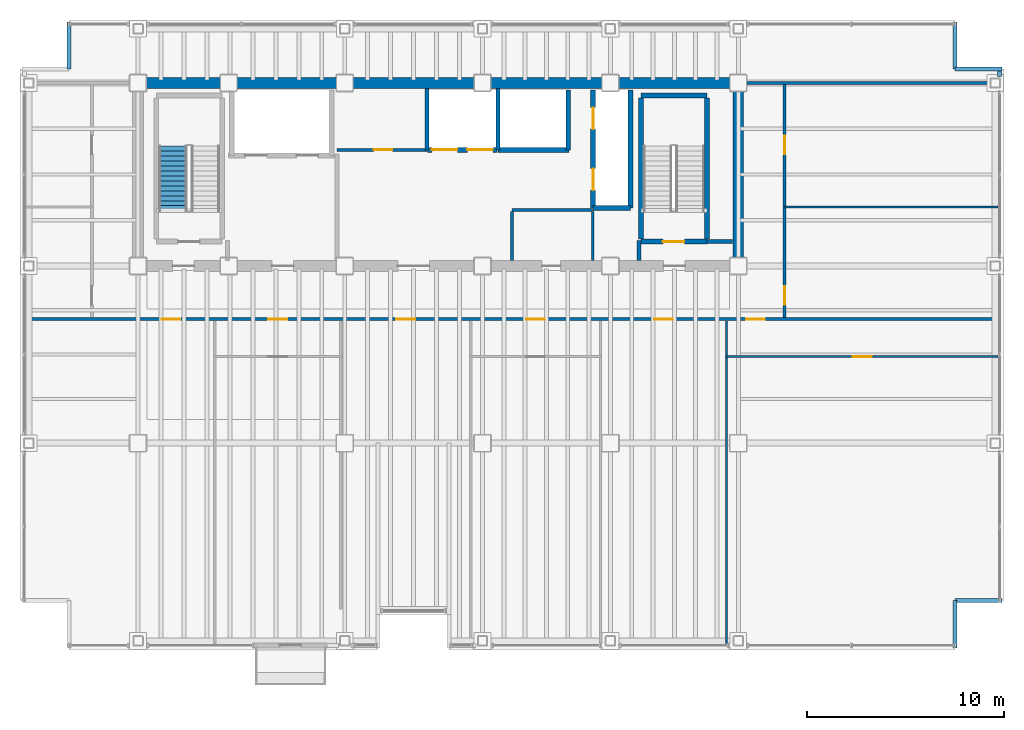
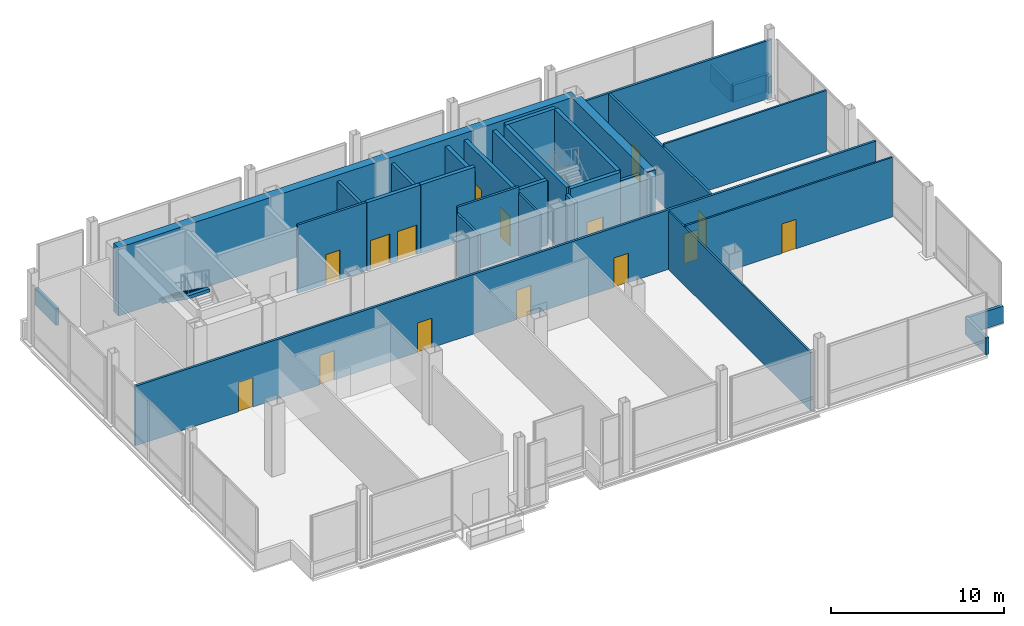
# One storey, part 19 of 22: 32 walls, 15 doors, 1 stair flight, 15 openings, 1 element without a shape of its own.
"""IFC4 building model written with IfcOpenShell, lengths in metres."""

from ifc_helpers import new_model, si_unit, direction, frame, frame_2d, origin, place, context, subcontext, project, spatial, polyline, rectangle, outline, extrude, material, layer, layer_set, type_object, element, fill, aggregate, save


model = new_model("IFC4")

# Units and contexts
model_context = context("Model", 3, precision=1e-05, world=origin(), true_north=direction((0.0, 1.0)))
body_context = subcontext(model_context, "Body", "Model", "MODEL_VIEW")
ifc_project = project(units=[si_unit("LENGTHUNIT", "METRE"), si_unit("AREAUNIT", "SQUARE_METRE"), si_unit("VOLUMEUNIT", "CUBIC_METRE"), si_unit("PLANEANGLEUNIT", "RADIAN"), si_unit("MASSUNIT", "GRAM", prefix="KILO")], contexts=[model_context])

# Site, building, storey
site_placement = place(None, origin())
site = spatial("IfcSite", under=ifc_project, at=site_placement, CompositionType="ELEMENT")
building_placement = place(site_placement, origin())
building = spatial("IfcBuilding", under=site, at=building_placement, Name="Noeulbin Bourse Tower", CompositionType="ELEMENT")
storey_placement = place(building_placement, frame((0.0, 0.0, 106.0)))
storey = spatial("IfcBuildingStorey", under=building, at=storey_placement, Name="L26", CompositionType="ELEMENT", Elevation=106.0)

# Walls
ifc_material_1 = material(Name="Concrete C60/75", Category="concrete")
ifc_layer_1 = layer(ifc_material_1, 0.550048828125)
ifc_layer_set_1 = layer_set([ifc_layer_1], Name="Concrete C60/75")
wall_type_1 = type_object("IfcWallType", Name="WAL-CORE-550", PredefinedType="SHEAR", material=ifc_layer_set_1)
wall_1_placement = place(storey_placement, frame((13.5, 38.300048828125, 0.0), z_axis=(0.0, 0.0, 1.0), x_axis=(1.0, 0.0, 0.0)))
element("IfcWall", 1, at=wall_1_placement, inside=storey, type_object=wall_type_1, Name="Rear Core North Shear Wall L26", PredefinedType="SHEAR", context=body_context, shape_type="SweptSolid", body=[
    extrude(rectangle(XDim=30.5, YDim=0.550048828125, at=frame_2d((15.25, 0.0))), origin(), (0.0, 0.0, 1.0), 4.820068359375),
])
wall_2_placement = place(storey_placement, frame((44.0, 29.35009765625, 0.0), z_axis=(0.0, 0.0, 1.0), x_axis=(0.0, 1.0, 0.0)))
element("IfcWall", 2, at=wall_2_placement, inside=storey, type_object=wall_type_1, Name="Rear Core East Shear Wall L26", PredefinedType="SHEAR", context=body_context, shape_type="SweptSolid", body=[
    extrude(rectangle(XDim=8.599853515625, YDim=0.550048828125, at=frame_2d((4.2998046875, 0.0))), origin(), (0.0, 0.0, 1.0), 4.820068359375),
])
ifc_material_2 = material(Name="Concrete C40/50", Category="concrete")
ifc_layer_2 = layer(ifc_material_2, 0.199951171875)
ifc_layer_set_2 = layer_set([ifc_layer_2], Name="Concrete C40/50")
wall_type_2 = type_object("IfcWallType", Name="WAL-FIRE-200", PredefinedType="STANDARD", material=ifc_layer_set_2)
wall_3_placement = place(storey_placement, frame((42.39990234375, 30.239990234375, 0.0), z_axis=(0.0, 0.0, 1.0), x_axis=(1.0, 0.0, 0.0)))
element("IfcWall", 3, at=wall_3_placement, inside=storey, type_object=wall_type_2, Name="Interior Partition Wall L26-01", PredefinedType="STANDARD", context=body_context, shape_type="SweptSolid", body=[
    extrude(rectangle(XDim=1.315185546875, YDim=0.199951171875, at=frame_2d((0.65771484375, 0.0))), origin(), (0.0, 0.0, 1.0), 4.199951171875),
])
wall_4_placement = place(storey_placement, frame((38.949951171875, 29.284912109375, 0.0), z_axis=(0.0, 0.0, 1.0), x_axis=(0.0, 1.0, 0.0)))
element("IfcWall", 4, at=wall_4_placement, inside=storey, type_object=wall_type_2, Name="Interior Partition Wall L26-13", PredefinedType="STANDARD", context=body_context, shape_type="SweptSolid", body=[
    extrude(rectangle(XDim=1.01513671875, YDim=0.199951171875, at=frame_2d((0.507568359375, 0.0))), origin(), (0.0, 0.0, 1.0), 4.39990234375),
])
ifc_layer_3 = layer(ifc_material_2, 0.199951171875)
ifc_layer_set_3 = layer_set([ifc_layer_3], Name="Concrete C40/50")
wall_type_3 = type_object("IfcWallType", Name="WAL-PAR-200", PredefinedType="PARAPET", material=ifc_layer_set_3)
wall_5_placement = place(storey_placement, frame((57.280029296875, 38.6201171875, 0.0), z_axis=(0.0, 0.0, 1.0), x_axis=(0.0, 1.0, 0.0)))
element("IfcWall", 5, at=wall_5_placement, inside=storey, type_object=wall_type_3, Name="Perimeter Pier Spandrel Parapet L26-E2", PredefinedType="PARAPET", context=body_context, shape_type="SweptSolid", body=[
    extrude(rectangle(XDim=0.27978515625, YDim=0.199951171875, at=frame_2d((0.139892578125, 0.0))), origin(), (0.0, 0.0, 1.0), 1.199951171875),
])
for number, where, z_axis, x_axis, name in (
    (6, (55.0, 9.60009765625, 0.0), (0.0, 0.0, 1.0), (0.0, 1.0, 0.0), "Corner Notch Parapet L26-SE1"),
    (7, (55.0, 12.0, 0.0), (0.0, 0.0, 1.0), (1.0, 0.0, 0.0), "Corner Notch Parapet L26-SE2"),
    (8, (10.0, 39.0, 0.0), (0.0, 0.0, 1.0), (0.0, 1.0, 0.0), "Corner Notch Parapet L26-NW2"),
    (9, (55.0, 41.39990234375, 0.0), (0.0, 0.0, 1.0), (0.0, -1.0, 0.0), "Corner Notch Parapet L26-NE1"),
    (10, (55.0, 39.0, 0.0), (0.0, 0.0, 1.0), (1.0, 0.0, 0.0), "Corner Notch Parapet L26-NE2"),
):
    element("IfcWall", number, at=place(storey_placement, frame(where, z_axis=z_axis, x_axis=x_axis)), inside=storey, type_object=wall_type_3, Name=name, PredefinedType="PARAPET", context=body_context, shape_type="SweptSolid", body=[
        extrude(rectangle(XDim=2.39990234375, YDim=0.199951171875, at=frame_2d((1.199951171875, 0.0))), origin(), (0.0, 0.0, 1.0), 1.199951171875),
    ])

# Wall, opening, door
ifc_material_3 = material(Name="Steel Stud Gypsum Partition", Category="steel")
ifc_layer_4 = layer(ifc_material_3, 0.1201171875)
ifc_layer_set_4 = layer_set([ifc_layer_4], Name="Steel Stud Gypsum Partition")
wall_type_4 = type_object("IfcWallType", Name="WAL-PRT-120", PredefinedType="PARTITIONING", material=ifc_layer_set_4)
wall_6_placement = place(storey_placement, frame((43.39990234375, 24.39990234375, 0.0), z_axis=(0.0, 0.0, 1.0), x_axis=(1.0, 0.0, 0.0)))
wall_6 = element("IfcWall", 11, at=wall_6_placement, inside=storey, type_object=wall_type_4, Name="Interior Partition Wall L26-09", PredefinedType="PARTITIONING", context=body_context, shape_type="SweptSolid", body=[
    extrude(rectangle(XDim=13.7900390625, YDim=0.1201171875, at=frame_2d((6.89501953125, 0.0))), origin(), (0.0, 0.0, 1.0), 4.199951171875),
])
opening_1_placement = place(wall_6_placement, frame((6.419921875, 0.0, 0.0)))
opening_1 = element("IfcOpeningElement", 12, at=opening_1_placement, cuts=wall_6, Name="Opening ID-09", PredefinedType="OPENING", context=body_context, shape_type="SweptSolid", body=[
    extrude(rectangle(XDim=0.949951171875, YDim=2.080078125, at=frame_2d((0.47509765625, 1.0400390625))), frame((0.0, 0.070068359375, 0.0), z_axis=(0.0, -1.0, 0.0), x_axis=(1.0, 0.0, 0.0)), (0.0, 0.0, 1.0), 0.14013671875),
])
ifc_material_4 = material(Name="Acoustic Solid-Core Timber", Category="wood")
door_type_1 = type_object("IfcDoorType", Name="DR-SINGLE-950", OperationType="SINGLE_SWING_LEFT", PredefinedType="DOOR", material=ifc_material_4)
door_1_placement = place(opening_1_placement, origin())
door_1 = element("IfcDoor", 13, at=door_1_placement, inside=storey, type_object=door_type_1, Name="Interior Door L26-14", OperationType="SINGLE_SWING_LEFT", OverallHeight=2.080078125, OverallWidth=0.949951171875, PredefinedType="DOOR", context=body_context, shape_type="SweptSolid", body=[
    extrude(rectangle(XDim=0.949951171875, YDim=2.080078125, at=frame_2d((0.47509765625, 1.0400390625))), frame((0.0, 0.02490234375, 0.0), z_axis=(0.0, -1.0, 0.0), x_axis=(1.0, 0.0, 0.0)), (0.0, 0.0, 1.0), 0.050048828125),
])
fill(opening_1, door_1)

# Walls
wall_7_placement = place(storey_placement, frame((46.35009765625, 32.0, 0.0), z_axis=(0.0, 0.0, 1.0), x_axis=(1.0, 0.0, 0.0)))
element("IfcWall", 14, at=wall_7_placement, inside=storey, type_object=wall_type_4, Name="Interior Partition Wall L26-11", PredefinedType="PARTITIONING", context=body_context, shape_type="SweptSolid", body=[
    extrude(rectangle(XDim=10.83984375, YDim=0.1201171875, at=frame_2d((5.419921875, 0.0))), origin(), (0.0, 0.0, 1.0), 4.31201171875),
])
wall_8_placement = place(storey_placement, frame((36.60009765625, 29.284912109375, 0.0), z_axis=(0.0, 0.0, 1.0), x_axis=(0.0, 1.0, 0.0)))
element("IfcWall", 15, at=wall_8_placement, inside=storey, type_object=wall_type_4, Name="Interior Partition Wall L26-16", PredefinedType="PARTITIONING", context=body_context, shape_type="SweptSolid", body=[
    extrude(rectangle(XDim=2.47998046875, YDim=0.1201171875, at=frame_2d((1.239990234375, 0.0))), origin(), (0.0, 0.0, 1.0), 4.39990234375),
])
wall_9_placement = place(storey_placement, frame((43.39990234375, 9.81005859375, 0.0), z_axis=(0.0, 0.0, 1.0), x_axis=(0.0, 1.0, 0.0)))
element("IfcWall", 16, at=wall_9_placement, inside=storey, type_object=wall_type_4, Name="Interior Partition Wall L26-23", PredefinedType="PARTITIONING", context=body_context, shape_type="SweptSolid", body=[
    extrude(rectangle(XDim=16.405029296875, YDim=0.1201171875, at=frame_2d((8.20263671875, 0.0))), origin(), (0.0, 0.0, 1.0), 4.10009765625),
])

# Wall, opening, door
ifc_material_5 = material(Name="Steel Stud Acoustic Gypsum Board", Category="steel")
ifc_layer_5 = layer(ifc_material_5, 0.14990234375)
ifc_layer_set_5 = layer_set([ifc_layer_5], Name="Steel Stud Acoustic Gypsum Board")
wall_type_5 = type_object("IfcWallType", Name="WAL-PRT-150", PredefinedType="PARTITIONING", material=ifc_layer_set_5)
wall_10_placement = place(storey_placement, frame((23.60009765625, 34.89990234375, 0.0), z_axis=(0.0, 0.0, 1.0), x_axis=(1.0, 0.0, 0.0)))
wall_10 = element("IfcWall", 17, at=wall_10_placement, inside=storey, type_object=wall_type_5, Name="Interior Partition Wall L26-02", PredefinedType="PARTITIONING", context=body_context, shape_type="SweptSolid", body=[
    extrude(rectangle(XDim=4.579833984375, YDim=0.14990234375, at=frame_2d((2.2900390625, 0.0))), origin(), (0.0, 0.0, 1.0), 4.820068359375),
])
opening_2_placement = place(wall_10_placement, frame((1.875, 0.0, 0.0)))
opening_2 = element("IfcOpeningElement", 18, at=opening_2_placement, cuts=wall_10, Name="Opening ID-09", PredefinedType="OPENING", context=body_context, shape_type="SweptSolid", body=[
    extrude(rectangle(XDim=0.949951171875, YDim=2.080078125, at=frame_2d((0.47509765625, 1.0400390625))), frame((0.0, 0.0849609375, 0.0), z_axis=(0.0, -1.0, 0.0), x_axis=(1.0, 0.0, 0.0)), (0.0, 0.0, 1.0), 0.169921875),
])
door_2_placement = place(opening_2_placement, origin())
door_2 = element("IfcDoor", 19, at=door_2_placement, inside=storey, type_object=door_type_1, Name="Archive Room Door L26", OperationType="SINGLE_SWING_RIGHT", OverallHeight=2.080078125, OverallWidth=0.949951171875, PredefinedType="DOOR", context=body_context, shape_type="SweptSolid", body=[
    extrude(rectangle(XDim=0.949951171875, YDim=2.080078125, at=frame_2d((0.47509765625, 1.0400390625))), frame((0.0, 0.02490234375, 0.0), z_axis=(0.0, -1.0, 0.0), x_axis=(1.0, 0.0, 0.0)), (0.0, 0.0, 1.0), 0.050048828125),
])
fill(opening_2, door_2)

# Wall
wall_11_placement = place(storey_placement, frame((32.5, 31.85009765625, 0.0), z_axis=(0.0, 0.0, 1.0), x_axis=(1.0, 0.0, 0.0)))
element("IfcWall", 20, at=wall_11_placement, inside=storey, type_object=wall_type_5, Name="Interior Partition Wall L26-03", PredefinedType="PARTITIONING", context=body_context, shape_type="SweptSolid", body=[
    extrude(rectangle(XDim=4.10009765625, YDim=0.14990234375, at=frame_2d((2.050048828125, 0.0))), origin(), (0.0, 0.0, 1.0), 4.820068359375),
])

# Wall, openings, doors
wall_12_placement = place(storey_placement, frame((7.81005859375, 26.300048828125, 0.0), z_axis=(0.0, 0.0, 1.0), x_axis=(1.0, 0.0, 0.0)))
wall_12 = element("IfcWall", 21, at=wall_12_placement, inside=storey, type_object=wall_type_5, Name="Interior Partition Wall L26-04", PredefinedType="PARTITIONING", context=body_context, shape_type="SweptSolid", body=[
    extrude(rectangle(XDim=49.3798828125, YDim=0.14990234375, at=frame_2d((24.68994140625, 0.0))), origin(), (0.0, 0.0, 1.0), 4.199951171875),
])
opening_3_placement = place(wall_12_placement, frame((6.889892578125, 0.0, 0.0)))
opening_3 = element("IfcOpeningElement", 22, at=opening_3_placement, cuts=wall_12, Name="Opening ID-09", PredefinedType="OPENING", context=body_context, shape_type="SweptSolid", body=[
    extrude(rectangle(XDim=0.949951171875, YDim=2.080078125, at=frame_2d((0.47509765625, 1.0400390625))), frame((0.0, 0.0849609375, 0.0), z_axis=(0.0, -1.0, 0.0), x_axis=(1.0, 0.0, 0.0)), (0.0, 0.0, 1.0), 0.169921875),
])
opening_4_placement = place(wall_12_placement, frame((12.31494140625, 0.0, 0.0)))
opening_4 = element("IfcOpeningElement", 23, at=opening_4_placement, cuts=wall_12, Name="Opening ID-09", PredefinedType="OPENING", context=body_context, shape_type="SweptSolid", body=[
    extrude(rectangle(XDim=0.949951171875, YDim=2.080078125, at=frame_2d((0.47509765625, 1.0400390625))), frame((0.0, 0.0849609375, 0.0), z_axis=(0.0, -1.0, 0.0), x_axis=(1.0, 0.0, 0.0)), (0.0, 0.0, 1.0), 0.169921875),
])
opening_5_placement = place(wall_12_placement, frame((18.81494140625, 0.0, 0.0)))
opening_5 = element("IfcOpeningElement", 24, at=opening_5_placement, cuts=wall_12, Name="Opening ID-09", PredefinedType="OPENING", context=body_context, shape_type="SweptSolid", body=[
    extrude(rectangle(XDim=0.949951171875, YDim=2.080078125, at=frame_2d((0.47509765625, 1.0400390625))), frame((0.0, 0.0849609375, 0.0), z_axis=(0.0, -1.0, 0.0), x_axis=(1.0, 0.0, 0.0)), (0.0, 0.0, 1.0), 0.169921875),
])
opening_6_placement = place(wall_12_placement, frame((25.4150390625, 0.0, 0.0)))
opening_6 = element("IfcOpeningElement", 25, at=opening_6_placement, cuts=wall_12, Name="Opening ID-09", PredefinedType="OPENING", context=body_context, shape_type="SweptSolid", body=[
    extrude(rectangle(XDim=0.949951171875, YDim=2.080078125, at=frame_2d((0.47509765625, 1.0400390625))), frame((0.0, 0.0849609375, 0.0), z_axis=(0.0, -1.0, 0.0), x_axis=(1.0, 0.0, 0.0)), (0.0, 0.0, 1.0), 0.169921875),
])
opening_7_placement = place(wall_12_placement, frame((31.9150390625, 0.0, 0.0)))
opening_7 = element("IfcOpeningElement", 26, at=opening_7_placement, cuts=wall_12, Name="Opening ID-09", PredefinedType="OPENING", context=body_context, shape_type="SweptSolid", body=[
    extrude(rectangle(XDim=0.949951171875, YDim=2.080078125, at=frame_2d((0.47509765625, 1.0400390625))), frame((0.0, 0.0849609375, 0.0), z_axis=(0.0, -1.0, 0.0), x_axis=(1.0, 0.0, 0.0)), (0.0, 0.0, 1.0), 0.169921875),
])
opening_8_placement = place(wall_12_placement, frame((36.590087890625, 0.0, 0.0)))
opening_8 = element("IfcOpeningElement", 27, at=opening_8_placement, cuts=wall_12, Name="Opening ID-09", PredefinedType="OPENING", context=body_context, shape_type="SweptSolid", body=[
    extrude(rectangle(XDim=0.949951171875, YDim=2.080078125, at=frame_2d((0.47509765625, 1.0400390625))), frame((0.0, 0.0849609375, 0.0), z_axis=(0.0, -1.0, 0.0), x_axis=(1.0, 0.0, 0.0)), (0.0, 0.0, 1.0), 0.169921875),
])
door_3_placement = place(opening_3_placement, origin())
door_3 = element("IfcDoor", 28, at=door_3_placement, inside=storey, type_object=door_type_1, Name="Interior Door L26-07", OperationType="SINGLE_SWING_RIGHT", OverallHeight=2.080078125, OverallWidth=0.949951171875, PredefinedType="DOOR", context=body_context, shape_type="SweptSolid", body=[
    extrude(rectangle(XDim=0.949951171875, YDim=2.080078125, at=frame_2d((0.47509765625, 1.0400390625))), frame((0.0, 0.02490234375, 0.0), z_axis=(0.0, -1.0, 0.0), x_axis=(1.0, 0.0, 0.0)), (0.0, 0.0, 1.0), 0.050048828125),
])
fill(opening_3, door_3)
door_4_placement = place(opening_4_placement, origin())
door_4 = element("IfcDoor", 29, at=door_4_placement, inside=storey, type_object=door_type_1, Name="Interior Door L26-09", OperationType="SINGLE_SWING_RIGHT", OverallHeight=2.080078125, OverallWidth=0.949951171875, PredefinedType="DOOR", context=body_context, shape_type="SweptSolid", body=[
    extrude(rectangle(XDim=0.949951171875, YDim=2.080078125, at=frame_2d((0.47509765625, 1.0400390625))), frame((0.0, 0.02490234375, 0.0), z_axis=(0.0, -1.0, 0.0), x_axis=(1.0, 0.0, 0.0)), (0.0, 0.0, 1.0), 0.050048828125),
])
fill(opening_4, door_4)
door_5_placement = place(opening_5_placement, origin())
door_5 = element("IfcDoor", 30, at=door_5_placement, inside=storey, type_object=door_type_1, Name="Interior Door L26-10", OperationType="SINGLE_SWING_LEFT", OverallHeight=2.080078125, OverallWidth=0.949951171875, PredefinedType="DOOR", context=body_context, shape_type="SweptSolid", body=[
    extrude(rectangle(XDim=0.949951171875, YDim=2.080078125, at=frame_2d((0.47509765625, 1.0400390625))), frame((0.0, 0.02490234375, 0.0), z_axis=(0.0, -1.0, 0.0), x_axis=(1.0, 0.0, 0.0)), (0.0, 0.0, 1.0), 0.050048828125),
])
fill(opening_5, door_5)
door_6_placement = place(opening_6_placement, origin())
door_6 = element("IfcDoor", 31, at=door_6_placement, inside=storey, type_object=door_type_1, Name="Interior Door L26-12", OperationType="SINGLE_SWING_LEFT", OverallHeight=2.080078125, OverallWidth=0.949951171875, PredefinedType="DOOR", context=body_context, shape_type="SweptSolid", body=[
    extrude(rectangle(XDim=0.949951171875, YDim=2.080078125, at=frame_2d((0.47509765625, 1.0400390625))), frame((0.0, 0.02490234375, 0.0), z_axis=(0.0, -1.0, 0.0), x_axis=(1.0, 0.0, 0.0)), (0.0, 0.0, 1.0), 0.050048828125),
])
fill(opening_6, door_6)
door_7_placement = place(opening_7_placement, origin())
door_7 = element("IfcDoor", 32, at=door_7_placement, inside=storey, type_object=door_type_1, Name="Interior Door L26-13", OperationType="SINGLE_SWING_RIGHT", OverallHeight=2.080078125, OverallWidth=0.949951171875, PredefinedType="DOOR", context=body_context, shape_type="SweptSolid", body=[
    extrude(rectangle(XDim=0.949951171875, YDim=2.080078125, at=frame_2d((0.47509765625, 1.0400390625))), frame((0.0, 0.02490234375, 0.0), z_axis=(0.0, -1.0, 0.0), x_axis=(1.0, 0.0, 0.0)), (0.0, 0.0, 1.0), 0.050048828125),
])
fill(opening_7, door_7)
door_8_placement = place(opening_8_placement, origin())
door_8 = element("IfcDoor", 33, at=door_8_placement, inside=storey, type_object=door_type_1, Name="Interior Door L26-15", OperationType="SINGLE_SWING_RIGHT", OverallHeight=2.080078125, OverallWidth=0.949951171875, PredefinedType="DOOR", context=body_context, shape_type="SweptSolid", body=[
    extrude(rectangle(XDim=0.949951171875, YDim=2.080078125, at=frame_2d((0.47509765625, 1.0400390625))), frame((0.0, 0.02490234375, 0.0), z_axis=(0.0, -1.0, 0.0), x_axis=(1.0, 0.0, 0.0)), (0.0, 0.0, 1.0), 0.050048828125),
])
fill(opening_8, door_8)

# Walls
wall_13_placement = place(storey_placement, frame((44.0, 38.300048828125, 0.0), z_axis=(0.0, 0.0, 1.0), x_axis=(1.0, 0.0, 0.0)))
element("IfcWall", 34, at=wall_13_placement, inside=storey, type_object=wall_type_5, Name="Interior Partition Wall L26-06", PredefinedType="PARTITIONING", context=body_context, shape_type="SweptSolid", body=[
    extrude(rectangle(XDim=13.18994140625, YDim=0.14990234375, at=frame_2d((6.594970703125, 0.0))), origin(), (0.0, 0.0, 1.0), 4.10009765625),
])
wall_14_placement = place(storey_placement, frame((32.5, 29.284912109375, 0.0), z_axis=(0.0, 0.0, 1.0), x_axis=(0.0, 1.0, 0.0)))
element("IfcWall", 35, at=wall_14_placement, inside=storey, type_object=wall_type_5, Name="Interior Partition Wall L26-15", PredefinedType="PARTITIONING", context=body_context, shape_type="SweptSolid", body=[
    extrude(rectangle(XDim=2.47998046875, YDim=0.14990234375, at=frame_2d((1.239990234375, 0.0))), origin(), (0.0, 0.0, 1.0), 4.39990234375),
])

# Wall, openings, doors
wall_15_placement = place(storey_placement, frame((46.35009765625, 26.385009765625, 0.0), z_axis=(0.0, 0.0, 1.0), x_axis=(0.0, 1.0, 0.0)))
wall_15 = element("IfcWall", 36, at=wall_15_placement, inside=storey, type_object=wall_type_5, Name="Interior Partition Wall L26-18", PredefinedType="PARTITIONING", context=body_context, shape_type="SweptSolid", body=[
    extrude(rectangle(XDim=11.830078125, YDim=0.14990234375, at=frame_2d((5.9150390625, 0.0))), origin(), (0.0, 0.0, 1.0), 4.10009765625),
])
opening_9_placement = place(wall_15_placement, frame((0.639892578125, 0.0, 0.0)))
opening_9 = element("IfcOpeningElement", 37, at=opening_9_placement, cuts=wall_15, Name="Opening ID-09", PredefinedType="OPENING", context=body_context, shape_type="SweptSolid", body=[
    extrude(rectangle(XDim=0.949951171875, YDim=2.080078125, at=frame_2d((0.47509765625, 1.0400390625))), frame((0.0, 0.0849609375, 0.0), z_axis=(0.0, -1.0, 0.0), x_axis=(1.0, 0.0, 0.0)), (0.0, 0.0, 1.0), 0.169921875),
])
opening_10_placement = place(wall_15_placement, frame((8.2900390625, 0.0, 0.0)))
opening_10 = element("IfcOpeningElement", 38, at=opening_10_placement, cuts=wall_15, Name="Opening ID-09", PredefinedType="OPENING", context=body_context, shape_type="SweptSolid", body=[
    extrude(rectangle(XDim=0.949951171875, YDim=2.080078125, at=frame_2d((0.47509765625, 1.0400390625))), frame((0.0, 0.0849609375, 0.0), z_axis=(0.0, -1.0, 0.0), x_axis=(1.0, 0.0, 0.0)), (0.0, 0.0, 1.0), 0.169921875),
])
door_9_placement = place(opening_9_placement, origin())
door_9 = element("IfcDoor", 39, at=door_9_placement, inside=storey, type_object=door_type_1, Name="Interior Door L26-18", OperationType="SINGLE_SWING_LEFT", OverallHeight=2.080078125, OverallWidth=0.949951171875, PredefinedType="DOOR", context=body_context, shape_type="SweptSolid", body=[
    extrude(rectangle(XDim=0.949951171875, YDim=2.080078125, at=frame_2d((0.47509765625, 1.0400390625))), frame((0.0, 0.02490234375, 0.0), z_axis=(0.0, -1.0, 0.0), x_axis=(1.0, 0.0, 0.0)), (0.0, 0.0, 1.0), 0.050048828125),
])
fill(opening_9, door_9)
door_10_placement = place(opening_10_placement, origin())
door_10 = element("IfcDoor", 40, at=door_10_placement, inside=storey, type_object=door_type_1, Name="Interior Door L26-19", OperationType="SINGLE_SWING_RIGHT", OverallHeight=2.080078125, OverallWidth=0.949951171875, PredefinedType="DOOR", context=body_context, shape_type="SweptSolid", body=[
    extrude(rectangle(XDim=0.949951171875, YDim=2.080078125, at=frame_2d((0.47509765625, 1.0400390625))), frame((0.0, 0.02490234375, 0.0), z_axis=(0.0, -1.0, 0.0), x_axis=(1.0, 0.0, 0.0)), (0.0, 0.0, 1.0), 0.050048828125),
])
fill(opening_10, door_10)

# Wall, opening, door
ifc_layer_6 = layer(ifc_material_2, 0.25)
ifc_layer_set_6 = layer_set([ifc_layer_6], Name="Concrete C40/50")
wall_type_6 = type_object("IfcWallType", Name="WAL-SHFT-250", PredefinedType="STANDARD", material=ifc_layer_set_6)
wall_16_placement = place(storey_placement, frame((39.06005859375, 30.235107421875, 0.0), z_axis=(0.0, 0.0, 1.0), x_axis=(1.0, 0.0, 0.0)))
wall_16 = element("IfcWall", 41, at=wall_16_placement, inside=storey, type_object=wall_type_6, Name="Stair ST-2 South Shaft Wall L26", PredefinedType="STANDARD", context=body_context, shape_type="SweptSolid", body=[
    extrude(rectangle(XDim=3.33984375, YDim=0.25, at=frame_2d((1.669921875, 0.0))), origin(), (0.0, 0.0, 1.0), 4.820068359375),
])
opening_11_placement = place(wall_16_placement, frame((1.10009765625, 0.0, 0.0)))
opening_11 = element("IfcOpeningElement", 42, at=opening_11_placement, cuts=wall_16, Name="Opening FD-11", PredefinedType="OPENING", context=body_context, shape_type="SweptSolid", body=[
    extrude(rectangle(XDim=1.10009765625, YDim=2.080078125, at=frame_2d((0.550048828125, 1.0400390625))), frame((0.0, 0.135009765625, 0.0), z_axis=(0.0, -1.0, 0.0), x_axis=(1.0, 0.0, 0.0)), (0.0, 0.0, 1.0), 0.27001953125),
])
ifc_material_6 = material(Name="Fire-Rated Insulated Steel", Category="steel")
door_type_2 = type_object("IfcDoorType", Name="DR-FD60-1100", OperationType="SINGLE_SWING_LEFT", PredefinedType="DOOR", material=ifc_material_6)
door_11_placement = place(opening_11_placement, origin())
door_11 = element("IfcDoor", 43, at=door_11_placement, inside=storey, type_object=door_type_2, Name="Protected Stair Entry Door ST2-L26", OperationType="SINGLE_SWING_LEFT", OverallHeight=2.080078125, OverallWidth=1.10009765625, PredefinedType="DOOR", context=body_context, shape_type="SweptSolid", body=[
    extrude(rectangle(XDim=1.10009765625, YDim=2.080078125, at=frame_2d((0.550048828125, 1.0400390625))), frame((0.0, 0.02490234375, 0.0), z_axis=(0.0, -1.0, 0.0), x_axis=(1.0, 0.0, 0.0)), (0.0, 0.0, 1.0), 0.050048828125),
])
fill(opening_11, door_11)

# Walls
wall_17_placement = place(storey_placement, frame((39.06005859375, 37.6689453125, 0.0), z_axis=(0.0, 0.0, 1.0), x_axis=(1.0, 0.0, 0.0)))
element("IfcWall", 44, at=wall_17_placement, inside=storey, type_object=wall_type_6, Name="Stair ST-2 North Shaft Wall L26", PredefinedType="STANDARD", context=body_context, shape_type="SweptSolid", body=[
    extrude(rectangle(XDim=3.33984375, YDim=0.25, at=frame_2d((1.669921875, 0.0))), origin(), (0.0, 0.0, 1.0), 4.820068359375),
])
for number, where, z_axis, x_axis, name in (
    (45, (39.054931640625, 30.360107421875, 0.0), (0.0, 0.0, 1.0), (0.0, 1.0, 0.0), "Stair ST-2 West Shaft Wall L26"),
    (46, (42.405029296875, 30.360107421875, 0.0), (0.0, 0.0, 1.0), (0.0, 1.0, 0.0), "Stair ST-2 East Shaft Wall L26"),
):
    element("IfcWall", number, at=place(storey_placement, frame(where, z_axis=z_axis, x_axis=x_axis)), inside=storey, type_object=wall_type_6, Name=name, PredefinedType="STANDARD", context=body_context, shape_type="SweptSolid", body=[
        extrude(rectangle(XDim=7.183837890625, YDim=0.25, at=frame_2d((3.591796875, 0.0))), origin(), (0.0, 0.0, 1.0), 4.820068359375),
    ])

# Wall, openings, doors
wall_18_placement = place(storey_placement, frame((36.6201171875, 31.949951171875, 0.0), z_axis=(0.0, 0.0, 1.0), x_axis=(0.0, 1.0, 0.0)))
wall_18 = element("IfcWall", 47, at=wall_18_placement, inside=storey, type_object=wall_type_6, Name="Service Lift Shaft Wall L26", PredefinedType="STANDARD", context=body_context, shape_type="SweptSolid", body=[
    extrude(rectangle(XDim=6.0, YDim=0.25, at=frame_2d((3.0, 0.0))), origin(), (0.0, 0.0, 1.0), 4.39990234375),
])
opening_12_placement = place(wall_18_placement, frame((0.89990234375, 0.0, 0.0)))
opening_12 = element("IfcOpeningElement", 48, at=opening_12_placement, cuts=wall_18, Name="Opening LD-11", PredefinedType="OPENING", context=body_context, shape_type="SweptSolid", body=[
    extrude(rectangle(XDim=1.10009765625, YDim=2.080078125, at=frame_2d((0.550048828125, 1.0400390625))), frame((0.0, 0.135009765625, 0.0), z_axis=(0.0, -1.0, 0.0), x_axis=(1.0, 0.0, 0.0)), (0.0, 0.0, 1.0), 0.27001953125),
])
opening_13_placement = place(wall_18_placement, frame((4.0, 0.0, 0.0)))
opening_13 = element("IfcOpeningElement", 49, at=opening_13_placement, cuts=wall_18, Name="Opening LD-11", PredefinedType="OPENING", context=body_context, shape_type="SweptSolid", body=[
    extrude(rectangle(XDim=1.10009765625, YDim=2.080078125, at=frame_2d((0.550048828125, 1.0400390625))), frame((0.0, 0.135009765625, 0.0), z_axis=(0.0, -1.0, 0.0), x_axis=(1.0, 0.0, 0.0)), (0.0, 0.0, 1.0), 0.27001953125),
])
ifc_material_7 = material(Name="Brushed Stainless Steel 316", Category="steel")
door_type_3 = type_object("IfcDoorType", Name="DR-LIFT-1100", OperationType="SLIDING_TO_LEFT", PredefinedType="DOOR", material=ifc_material_7)
door_12_placement = place(opening_12_placement, origin())
door_12 = element("IfcDoor", 50, at=door_12_placement, inside=storey, type_object=door_type_3, Name="Lift Landing Door LD-EL-01-L26", OperationType="SLIDING_TO_LEFT", OverallHeight=2.080078125, OverallWidth=1.10009765625, PredefinedType="DOOR", context=body_context, shape_type="SweptSolid", body=[
    extrude(rectangle(XDim=1.10009765625, YDim=2.080078125, at=frame_2d((0.550048828125, 1.0400390625))), frame((0.0, 0.02490234375, 0.0), z_axis=(0.0, -1.0, 0.0), x_axis=(1.0, 0.0, 0.0)), (0.0, 0.0, 1.0), 0.050048828125),
])
fill(opening_12, door_12)
door_13_placement = place(opening_13_placement, origin())
door_13 = element("IfcDoor", 51, at=door_13_placement, inside=storey, type_object=door_type_3, Name="Lift Landing Door LD-SV-01-L26", OperationType="SLIDING_TO_LEFT", OverallHeight=2.080078125, OverallWidth=1.10009765625, PredefinedType="DOOR", context=body_context, shape_type="SweptSolid", body=[
    extrude(rectangle(XDim=1.10009765625, YDim=2.080078125, at=frame_2d((0.550048828125, 1.0400390625))), frame((0.0, 0.02490234375, 0.0), z_axis=(0.0, -1.0, 0.0), x_axis=(1.0, 0.0, 0.0)), (0.0, 0.0, 1.0), 0.050048828125),
])
fill(opening_13, door_13)

# Walls
wall_19_placement = place(storey_placement, frame((38.52001953125, 31.949951171875, 0.0), z_axis=(0.0, 0.0, 1.0), x_axis=(0.0, 1.0, 0.0)))
element("IfcWall", 52, at=wall_19_placement, inside=storey, type_object=wall_type_6, Name="Service Lift East Shaft Wall L26", PredefinedType="STANDARD", context=body_context, shape_type="SweptSolid", body=[
    extrude(rectangle(XDim=6.0, YDim=0.25, at=frame_2d((3.0, 0.0))), origin(), (0.0, 0.0, 1.0), 4.39990234375),
])
wall_20_placement = place(storey_placement, frame((36.6201171875, 31.949951171875, 0.0), z_axis=(0.0, 0.0, 1.0), x_axis=(1.0, 0.0, 0.0)))
element("IfcWall", 53, at=wall_20_placement, inside=storey, type_object=wall_type_6, Name="Service Lift South Shaft Wall L26", PredefinedType="STANDARD", context=body_context, shape_type="SweptSolid", body=[
    extrude(rectangle(XDim=1.89990234375, YDim=0.25, at=frame_2d((0.949951171875, 0.0))), origin(), (0.0, 0.0, 1.0), 4.580078125),
])
wall_21_placement = place(storey_placement, frame((35.360107421875, 34.89990234375, 0.0), z_axis=(0.0, 0.0, 1.0), x_axis=(0.0, 1.0, 0.0)))
element("IfcWall", 54, at=wall_21_placement, inside=storey, type_object=wall_type_6, Name="High-Rise Lift East Shaft Wall L26", PredefinedType="STANDARD", context=body_context, shape_type="SweptSolid", body=[
    extrude(rectangle(XDim=3.050048828125, YDim=0.25, at=frame_2d((1.52490234375, 0.0))), origin(), (0.0, 0.0, 1.0), 4.39990234375),
])

# Wall, openings, doors
wall_22_placement = place(storey_placement, frame((28.199951171875, 34.89990234375, 0.0), z_axis=(0.0, 0.0, 1.0), x_axis=(1.0, 0.0, 0.0)))
wall_22 = element("IfcWall", 55, at=wall_22_placement, inside=storey, type_object=wall_type_6, Name="Mid-Rise Lift Bank Front L26", PredefinedType="STANDARD", context=body_context, shape_type="SweptSolid", body=[
    extrude(rectangle(XDim=3.550048828125, YDim=0.25, at=frame_2d((1.77490234375, 0.0))), origin(), (0.0, 0.0, 1.0), 4.820068359375),
])
opening_14_placement = place(wall_22_placement, frame((0.22998046875, 0.0, 0.0)))
opening_14 = element("IfcOpeningElement", 56, at=opening_14_placement, cuts=wall_22, Name="Opening LD-13", PredefinedType="OPENING", context=body_context, shape_type="SweptSolid", body=[
    extrude(rectangle(XDim=1.300048828125, YDim=2.080078125, at=frame_2d((0.64990234375, 1.0400390625))), frame((0.0, 0.135009765625, 0.0), z_axis=(0.0, -1.0, 0.0), x_axis=(1.0, 0.0, 0.0)), (0.0, 0.0, 1.0), 0.27001953125),
])
opening_15_placement = place(wall_22_placement, frame((2.030029296875, 0.0, 0.0)))
opening_15 = element("IfcOpeningElement", 57, at=opening_15_placement, cuts=wall_22, Name="Opening LD-13", PredefinedType="OPENING", context=body_context, shape_type="SweptSolid", body=[
    extrude(rectangle(XDim=1.300048828125, YDim=2.080078125, at=frame_2d((0.64990234375, 1.0400390625))), frame((0.0, 0.135009765625, 0.0), z_axis=(0.0, -1.0, 0.0), x_axis=(1.0, 0.0, 0.0)), (0.0, 0.0, 1.0), 0.27001953125),
])
door_type_4 = type_object("IfcDoorType", Name="DR-LIFT-1300", OperationType="DOUBLE_DOOR_SLIDING", PredefinedType="DOOR", material=ifc_material_7)
door_14_placement = place(opening_14_placement, origin())
door_14 = element("IfcDoor", 58, at=door_14_placement, inside=storey, type_object=door_type_4, Name="Lift Landing Door LD-PL-M1-L26", OperationType="DOUBLE_DOOR_SLIDING", OverallHeight=2.080078125, OverallWidth=1.300048828125, PredefinedType="DOOR", context=body_context, shape_type="SweptSolid", body=[
    extrude(rectangle(XDim=1.300048828125, YDim=2.080078125, at=frame_2d((0.64990234375, 1.0400390625))), frame((0.0, 0.02490234375, 0.0), z_axis=(0.0, -1.0, 0.0), x_axis=(1.0, 0.0, 0.0)), (0.0, 0.0, 1.0), 0.050048828125),
])
fill(opening_14, door_14)
door_15_placement = place(opening_15_placement, origin())
door_15 = element("IfcDoor", 59, at=door_15_placement, inside=storey, type_object=door_type_4, Name="Lift Landing Door LD-PL-M2-L26", OperationType="DOUBLE_DOOR_SLIDING", OverallHeight=2.080078125, OverallWidth=1.300048828125, PredefinedType="DOOR", context=body_context, shape_type="SweptSolid", body=[
    extrude(rectangle(XDim=1.300048828125, YDim=2.080078125, at=frame_2d((0.64990234375, 1.0400390625))), frame((0.0, 0.02490234375, 0.0), z_axis=(0.0, -1.0, 0.0), x_axis=(1.0, 0.0, 0.0)), (0.0, 0.0, 1.0), 0.050048828125),
])
fill(opening_15, door_15)

# Walls
wall_23_placement = place(storey_placement, frame((31.800048828125, 34.89990234375, 0.0), z_axis=(0.0, 0.0, 1.0), x_axis=(1.0, 0.0, 0.0)))
element("IfcWall", 60, at=wall_23_placement, inside=storey, type_object=wall_type_6, Name="High-Rise Lift Bank Front L26", PredefinedType="STANDARD", context=body_context, shape_type="SweptSolid", body=[
    extrude(rectangle(XDim=3.599853515625, YDim=0.25, at=frame_2d((1.7998046875, 0.0))), origin(), (0.0, 0.0, 1.0), 4.820068359375),
])
for number, where, z_axis, x_axis, name in (
    (61, (28.179931640625, 34.89990234375, 0.0), (0.0, 0.0, 1.0), (0.0, 1.0, 0.0), "Hoistway Side Shaft Wall L26-PLMW"),
    (62, (31.780029296875, 34.89990234375, 0.0), (0.0, 0.0, 1.0), (0.0, 1.0, 0.0), "Hoistway Side Shaft Wall L26-PLHW"),
):
    element("IfcWall", number, at=place(storey_placement, frame(where, z_axis=z_axis, x_axis=x_axis)), inside=storey, type_object=wall_type_6, Name=name, PredefinedType="STANDARD", context=body_context, shape_type="SweptSolid", body=[
        extrude(rectangle(XDim=3.1201171875, YDim=0.199951171875, at=frame_2d((1.56005859375, 0.0))), origin(), (0.0, 0.0, 1.0), 4.39990234375),
    ])

# Stair, stair flight
stair_type = type_object("IfcStairType", Name="STR-CORE-1560", PredefinedType="HALF_TURN_STAIR", material=ifc_material_2)
stair_placement = place(storey_placement, origin())
stair = element("IfcStair", 63, at=stair_placement, inside=storey, type_object=stair_type, Name="L26 ST-1", PredefinedType="HALF_TURN_STAIR")
stair_flight_type = type_object("IfcStairFlightType", Name="SFL-CORE-1560", PredefinedType="STRAIGHT", material=ifc_material_2)
stair_flight_placement = place(storey_placement, frame((15.27490234375, 35.0859375, 2.5), z_axis=(0.0, 0.0, 1.0), x_axis=(0.0, -1.0, 0.0)))
stair_flight = element("IfcStairFlight", 64, at=stair_flight_placement, type_object=stair_flight_type, Name="ST-1 flight 2", NumberOfRisers=14, NumberOfTreads=13, PredefinedType="STRAIGHT", RiserHeight=0.178571429, TreadLength=0.252, context=body_context, shape_type="SweptSolid", body=[
    extrude(outline(polyline([(0.0, 0.0), (0.0, 0.178466796875), (0.251953125, 0.178466796875), (0.251953125, 0.357177734375), (0.50390625, 0.357177734375), (0.50390625, 0.53564453125), (0.756103515625, 0.53564453125), (0.756103515625, 0.71435546875), (1.008056640625, 0.71435546875), (1.008056640625, 0.892822265625), (1.260009765625, 0.892822265625), (1.260009765625, 1.071533203125), (1.511962890625, 1.071533203125), (1.511962890625, 1.25), (1.763916015625, 1.25), (1.763916015625, 1.428466796875), (2.01611328125, 1.428466796875), (2.01611328125, 1.607177734375), (2.26806640625, 1.607177734375), (2.26806640625, 1.78564453125), (2.52001953125, 1.78564453125), (2.52001953125, 1.96435546875), (2.77197265625, 1.96435546875), (2.77197265625, 2.142822265625), (3.02392578125, 2.142822265625), (3.02392578125, 2.321533203125), (3.27587890625, 2.321533203125), (3.27587890625, 2.5), (3.27587890625, 2.100830078125), (0.311279296875, 0.0), (0.0, 0.0)])), frame((0.0, 0.72509765625, 0.0), z_axis=(0.0, -1.0, 0.0), x_axis=(1.0, 0.0, 0.0)), (0.0, 0.0, 1.0), 1.449951171875),
])
aggregate(stair, [stair_flight])

save(model, "model.ifc")
